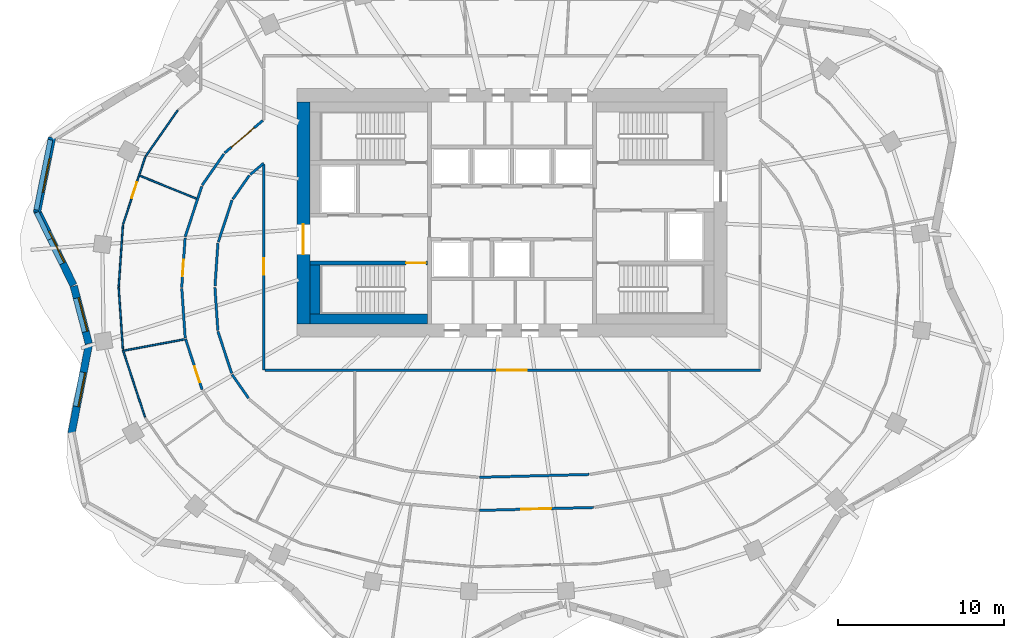
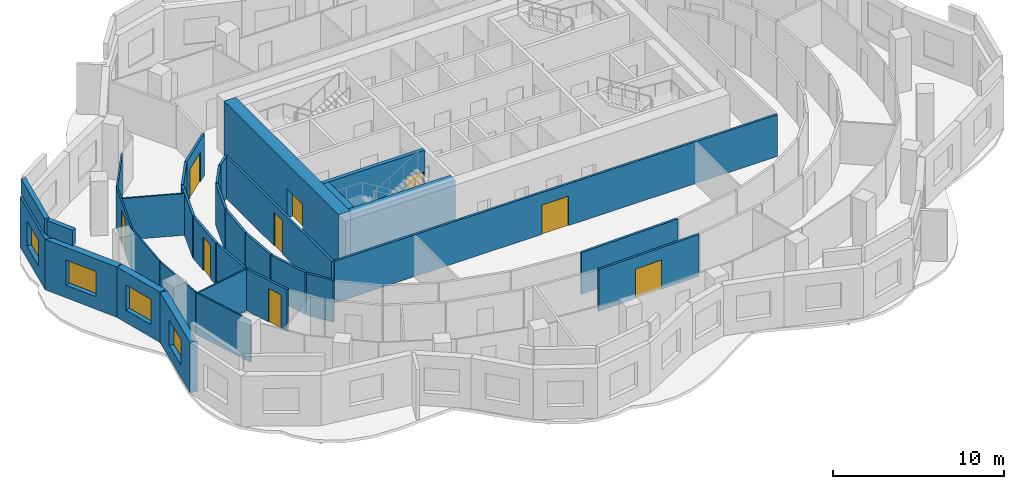
# One storey, part 4 of 10: 34 walls, 9 doors, 4 windows, 13 openings.
"""IFC4 building model written with IfcOpenShell, lengths in metres."""

from ifc_helpers import new_model, si_unit, direction, frame, frame_2d, origin, place, context, subcontext, project, spatial, rectangle, extrude, material, layer, layer_set, type_object, element, fill, save


model = new_model("IFC4")

# Units and contexts
model_context = context("Model", 3, precision=1e-05, world=origin(), true_north=direction((0.0, 1.0)))
body_context = subcontext(model_context, "Body", "Model", "MODEL_VIEW")
ifc_project = project(units=[si_unit("LENGTHUNIT", "METRE"), si_unit("AREAUNIT", "SQUARE_METRE"), si_unit("VOLUMEUNIT", "CUBIC_METRE"), si_unit("PLANEANGLEUNIT", "RADIAN"), si_unit("MASSUNIT", "GRAM", prefix="KILO")], contexts=[model_context])

# Site, building, storey
site_placement = place(None, origin())
site = spatial("IfcSite", under=ifc_project, at=site_placement, CompositionType="ELEMENT")
building_placement = place(site_placement, origin())
building = spatial("IfcBuilding", under=site, at=building_placement, Name="Rubra Terraces Tower", CompositionType="ELEMENT")
storey_placement = place(building_placement, frame((0.0, 0.0, 213.0)))
storey = spatial("IfcBuildingStorey", under=building, at=storey_placement, Name="L52", CompositionType="ELEMENT", Elevation=213.0)

# Wall, opening, window
ifc_material_1 = material(Name="Brick masonry red-brown", Category="masonry")
ifc_layer_1 = layer(ifc_material_1, 0.449951171875)
ifc_layer_set_1 = layer_set([ifc_layer_1], Name="Brick masonry red-brown")
wall_type_1 = type_object("IfcWallType", Name="Brick facade wall 450", PredefinedType="SOLIDWALL", material=ifc_layer_set_1)
wall_1_placement = place(storey_placement, frame((-27.779541015625, 9.053466796875, 0.0), z_axis=(0.0, 0.0, 1.0), x_axis=(-0.197796229105, -0.980243159503, 0.0)))
wall_1 = element("IfcWall", 1, at=wall_1_placement, inside=storey, type_object=wall_type_1, Name="Facade wall L52 bay 19", PredefinedType="SOLIDWALL", context=body_context, shape_type="SweptSolid", body=[
    extrude(rectangle(XDim=4.610107421875, YDim=0.449951171875, at=frame_2d((2.30517578125, 0.0))), origin(), (0.0, 0.0, 1.0), 3.60009765625),
])
opening_1_placement = place(wall_1_placement, frame((1.255126953125, 0.0, 0.89990234375)))
opening_1 = element("IfcOpeningElement", 2, at=opening_1_placement, cuts=wall_1, Name="Opening W1Z", PredefinedType="OPENING", context=body_context, shape_type="SweptSolid", body=[
    extrude(rectangle(XDim=2.10009765625, YDim=1.800048828125, at=frame_2d((1.050048828125, 0.89990234375))), frame((0.0, 0.23486328125, 0.0), z_axis=(0.0, -1.0, 0.0), x_axis=(1.0, 0.0, 0.0)), (0.0, 0.0, 1.0), 0.469970703125),
])
ifc_material_2 = material(Name="Clear glass in aluminium frame", Category="aluminium")
window_type = type_object("IfcWindowType", Name="Fixed deep-set window under transfer level 2100 x 1800", PartitioningType="SINGLE_PANEL", PredefinedType="WINDOW", material=ifc_material_2)
window_1_placement = place(opening_1_placement, origin())
window_1 = element("IfcWindow", 3, at=window_1_placement, inside=storey, type_object=window_type, Name="Window L52 bay 19", OverallHeight=1.800048828125, OverallWidth=2.10009765625, PartitioningType="SINGLE_PANEL", PredefinedType="WINDOW", context=body_context, shape_type="SweptSolid", body=[
    extrude(rectangle(XDim=2.10009765625, YDim=1.800048828125, at=frame_2d((1.050048828125, 0.89990234375))), frame((0.0, 0.135009765625, 0.0), z_axis=(0.0, -1.0, 0.0), x_axis=(1.0, 0.0, 0.0)), (0.0, 0.0, 1.0), 0.06005859375),
])
fill(opening_1, window_1)

wall_2_placement = place(storey_placement, frame((-28.70703125, 4.672119140625, 0.0), z_axis=(0.0, 0.0, 1.0), x_axis=(0.439053549989, -0.898460895221, 0.0)))
wall_2 = element("IfcWall", 4, at=wall_2_placement, inside=storey, type_object=wall_type_1, Name="Facade wall L52 bay 20", PredefinedType="SOLIDWALL", context=body_context, shape_type="SweptSolid", body=[
    extrude(rectangle(XDim=5.061767578125, YDim=0.449951171875, at=frame_2d((2.53076171875, 0.0))), origin(), (0.0, 0.0, 1.0), 3.60009765625),
])
opening_2_placement = place(wall_2_placement, frame((1.48095703125, 0.0, 0.89990234375)))
opening_2 = element("IfcOpeningElement", 5, at=opening_2_placement, cuts=wall_2, Name="Opening W1Z", PredefinedType="OPENING", context=body_context, shape_type="SweptSolid", body=[
    extrude(rectangle(XDim=2.10009765625, YDim=1.800048828125, at=frame_2d((1.050048828125, 0.89990234375))), frame((0.0, 0.23486328125, 0.0), z_axis=(0.0, -1.0, 0.0), x_axis=(1.0, 0.0, 0.0)), (0.0, 0.0, 1.0), 0.469970703125),
])
window_2_placement = place(opening_2_placement, origin())
window_2 = element("IfcWindow", 6, at=window_2_placement, inside=storey, type_object=window_type, Name="Window L52 bay 20", OverallHeight=1.800048828125, OverallWidth=2.10009765625, PartitioningType="SINGLE_PANEL", PredefinedType="WINDOW", context=body_context, shape_type="SweptSolid", body=[
    extrude(rectangle(XDim=2.10009765625, YDim=1.800048828125, at=frame_2d((1.050048828125, 0.89990234375))), frame((0.0, 0.135009765625, 0.0), z_axis=(0.0, -1.0, 0.0), x_axis=(1.0, 0.0, 0.0)), (0.0, 0.0, 1.0), 0.06005859375),
])
fill(opening_2, window_2)

wall_3_placement = place(storey_placement, frame((-26.469482421875, 0.0791015625, 0.0), z_axis=(0.0, 0.0, 1.0), x_axis=(0.252446779859, -0.967610780913, 0.0)))
wall_3 = element("IfcWall", 7, at=wall_3_placement, inside=storey, type_object=wall_type_1, Name="Facade wall L52 bay 21", PredefinedType="SOLIDWALL", context=body_context, shape_type="SweptSolid", body=[
    extrude(rectangle(XDim=3.5947265625, YDim=0.449951171875, at=frame_2d((1.79736328125, 0.0))), origin(), (0.0, 0.0, 1.0), 3.60009765625),
])
opening_3_placement = place(wall_3_placement, frame((0.747314453125, 0.0, 0.89990234375)))
opening_3 = element("IfcOpeningElement", 8, at=opening_3_placement, cuts=wall_3, Name="Opening W1Z", PredefinedType="OPENING", context=body_context, shape_type="SweptSolid", body=[
    extrude(rectangle(XDim=2.10009765625, YDim=1.800048828125, at=frame_2d((1.050048828125, 0.89990234375))), frame((0.0, 0.23486328125, 0.0), z_axis=(0.0, -1.0, 0.0), x_axis=(1.0, 0.0, 0.0)), (0.0, 0.0, 1.0), 0.469970703125),
])
window_3_placement = place(opening_3_placement, origin())
window_3 = element("IfcWindow", 9, at=window_3_placement, inside=storey, type_object=window_type, Name="Window L52 bay 21", OverallHeight=1.800048828125, OverallWidth=2.10009765625, PartitioningType="SINGLE_PANEL", PredefinedType="WINDOW", context=body_context, shape_type="SweptSolid", body=[
    extrude(rectangle(XDim=2.10009765625, YDim=1.800048828125, at=frame_2d((1.050048828125, 0.89990234375))), frame((0.0, 0.135009765625, 0.0), z_axis=(0.0, -1.0, 0.0), x_axis=(1.0, 0.0, 0.0)), (0.0, 0.0, 1.0), 0.06005859375),
])
fill(opening_3, window_3)

wall_4_placement = place(storey_placement, frame((-25.561279296875, -3.490478515625, 0.0), z_axis=(0.0, 0.0, 1.0), x_axis=(-0.192494026297, -0.981298145234, 0.0)))
wall_4 = element("IfcWall", 10, at=wall_4_placement, inside=storey, type_object=wall_type_1, Name="Facade wall L52 bay 22", PredefinedType="SOLIDWALL", context=body_context, shape_type="SweptSolid", body=[
    extrude(rectangle(XDim=5.446044921875, YDim=0.449951171875, at=frame_2d((2.72314453125, 0.0))), origin(), (0.0, 0.0, 1.0), 3.60009765625),
])
opening_4_placement = place(wall_4_placement, frame((1.673095703125, 0.0, 0.89990234375)))
opening_4 = element("IfcOpeningElement", 11, at=opening_4_placement, cuts=wall_4, Name="Opening W1Z", PredefinedType="OPENING", context=body_context, shape_type="SweptSolid", body=[
    extrude(rectangle(XDim=2.10009765625, YDim=1.800048828125, at=frame_2d((1.050048828125, 0.89990234375))), frame((0.0, 0.23486328125, 0.0), z_axis=(0.0, -1.0, 0.0), x_axis=(1.0, 0.0, 0.0)), (0.0, 0.0, 1.0), 0.469970703125),
])
window_4_placement = place(opening_4_placement, origin())
window_4 = element("IfcWindow", 12, at=window_4_placement, inside=storey, type_object=window_type, Name="Window L52 bay 22", OverallHeight=1.800048828125, OverallWidth=2.10009765625, PartitioningType="SINGLE_PANEL", PredefinedType="WINDOW", context=body_context, shape_type="SweptSolid", body=[
    extrude(rectangle(XDim=2.10009765625, YDim=1.800048828125, at=frame_2d((1.050048828125, 0.89990234375))), frame((0.0, 0.135009765625, 0.0), z_axis=(0.0, -1.0, 0.0), x_axis=(1.0, 0.0, 0.0)), (0.0, 0.0, 1.0), 0.06005859375),
])
fill(opening_4, window_4)

# Walls
ifc_layer_2 = layer(ifc_material_1, 0.300048828125)
ifc_layer_set_2 = layer_set([ifc_layer_2], Name="Brick masonry red-brown")
wall_type_2 = type_object("IfcWallType", Name="Brick parapet 300", PredefinedType="PARAPET", material=ifc_layer_set_2)
wall_5_placement = place(storey_placement, frame((-27.884521484375, 8.91162109375, 3.89990234375), z_axis=(0.0, 0.0, 1.0), x_axis=(-0.197855213088, -0.980231255701, 0.0)))
element("IfcWall", 13, at=wall_5_placement, inside=storey, type_object=wall_type_2, Name="Parapet L52 bay 19", PredefinedType="PARAPET", context=body_context, shape_type="SweptSolid", body=[
    extrude(rectangle(XDim=4.31884765625, YDim=0.300048828125, at=frame_2d((2.159423828125, 0.0))), origin(), (0.0, 0.0, 1.0), 1.10009765625),
])
wall_6_placement = place(storey_placement, frame((-28.719482421875, 4.5263671875, 3.89990234375), z_axis=(0.0, 0.0, 1.0), x_axis=(0.439128139237, -0.898424441636, 0.0)))
element("IfcWall", 14, at=wall_6_placement, inside=storey, type_object=wall_type_2, Name="Parapet L52 bay 20", PredefinedType="PARAPET", context=body_context, shape_type="SweptSolid", body=[
    extrude(rectangle(XDim=1.815673828125, YDim=0.300048828125, at=frame_2d((0.90771484375, 0.0))), origin(), (0.0, 0.0, 1.0), 1.10009765625),
])

# Wall, opening, door
ifc_material_3 = material(Name="Concrete C50", Category="concrete")
ifc_layer_3 = layer(ifc_material_3, 0.800048828125)
ifc_layer_set_3 = layer_set([ifc_layer_3], Name="Concrete C50")
wall_type_3 = type_object("IfcWallType", Name="CORE WALL 800 C50", PredefinedType="SHEAR", material=ifc_layer_set_3)
wall_7_placement = place(storey_placement, frame((-12.60009765625, -2.199951171875, 0.0), z_axis=(0.0, 0.0, 1.0), x_axis=(0.0, 1.0, 0.0)))
wall_7 = element("IfcWall", 15, at=wall_7_placement, inside=storey, type_object=wall_type_3, Name="CORE WALL W L52", PredefinedType="SHEAR", context=body_context, shape_type="SweptSolid", body=[
    extrude(rectangle(XDim=13.39990234375, YDim=0.800048828125, at=frame_2d((6.699951171875, 0.0))), origin(), (0.0, 0.0, 1.0), 3.89990234375),
])
opening_5_placement = place(wall_7_placement, frame((4.199951171875, 0.0, 0.0)))
opening_5 = element("IfcOpeningElement", 16, at=opening_5_placement, cuts=wall_7, Name="Opening L52.C01", PredefinedType="OPENING", context=body_context, shape_type="SweptSolid", body=[
    extrude(rectangle(XDim=1.800048828125, YDim=2.10009765625, at=frame_2d((0.89990234375, 1.050048828125))), frame((0.0, 0.409912109375, 0.0), z_axis=(0.0, -1.0, 0.0), x_axis=(1.0, 0.0, 0.0)), (0.0, 0.0, 1.0), 0.820068359375),
])
ifc_material_4 = material(Name="Painted steel", Category="steel")
door_type_1 = type_object("IfcDoorType", Name="Fire door 1800x2100 double", OperationType="NOTDEFINED", PredefinedType="DOOR", material=ifc_material_4)
door_1_placement = place(opening_5_placement, origin())
door_1 = element("IfcDoor", 17, at=door_1_placement, inside=storey, type_object=door_type_1, Name="Core entrance door FF1", OperationType="DOUBLE_DOOR_SINGLE_SWING", OverallHeight=2.10009765625, OverallWidth=1.800048828125, PredefinedType="DOOR", context=body_context, shape_type="SweptSolid", body=[
    extrude(rectangle(XDim=1.800048828125, YDim=2.10009765625, at=frame_2d((0.89990234375, 1.050048828125))), frame((0.0, 0.02490234375, 0.0), z_axis=(0.0, -1.0, 0.0), x_axis=(1.0, 0.0, 0.0)), (0.0, 0.0, 1.0), 0.050048828125),
])
fill(opening_5, door_1)

ifc_material_5 = material(Name="Plasterboard on steel stud, mineral wool infill", Category="steel")
ifc_layer_4 = layer(ifc_material_5, 0.14990234375)
ifc_layer_set_4 = layer_set([ifc_layer_4], Name="Plasterboard on steel stud, mineral wool infill")
wall_type_4 = type_object("IfcWallType", Name="CORRIDOR PARTITION 150", PredefinedType="PARTITIONING", material=ifc_layer_set_4)
wall_8_placement = place(storey_placement, frame((-15.05712890625, 10.072998046875, 0.0), z_axis=(0.0, 0.0, 1.0), x_axis=(-0.762398905861, -0.647107339119, 0.0)))
wall_8 = element("IfcWall", 18, at=wall_8_placement, inside=storey, type_object=wall_type_4, Name="PARTITION", PredefinedType="PARTITIONING", context=body_context, shape_type="SweptSolid", body=[
    extrude(rectangle(XDim=3.013427734375, YDim=0.14990234375, at=frame_2d((1.5068359375, 0.0))), origin(), (0.0, 0.0, 1.0), 2.98388671875),
])
opening_6_placement = place(wall_8_placement, frame((0.675048828125, 0.0, 0.0)))
opening_6 = element("IfcOpeningElement", 19, at=opening_6_placement, cuts=wall_8, Name="Opening 52-101", PredefinedType="OPENING", context=body_context, shape_type="SweptSolid", body=[
    extrude(rectangle(XDim=1.800048828125, YDim=2.10009765625, at=frame_2d((0.89990234375, 1.050048828125))), frame((0.0, 0.0849609375, 0.0), z_axis=(0.0, -1.0, 0.0), x_axis=(1.0, 0.0, 0.0)), (0.0, 0.0, 1.0), 0.169921875),
])
ifc_material_6 = material(Name="Painted timber door leaf, double", Category="wood")
door_type_2 = type_object("IfcDoorType", Name="ROOM DOUBLE DOOR 1800 X 2100", OperationType="DOUBLE_DOOR_SINGLE_SWING", PredefinedType="DOOR", material=ifc_material_6)
door_2_placement = place(opening_6_placement, origin())
door_2 = element("IfcDoor", 20, at=door_2_placement, inside=storey, type_object=door_type_2, Name="DOOR 52-101", OperationType="DOUBLE_DOOR_SINGLE_SWING", OverallHeight=2.10009765625, OverallWidth=1.800048828125, PredefinedType="DOOR", context=body_context, shape_type="SweptSolid", body=[
    extrude(rectangle(XDim=1.800048828125, YDim=2.10009765625, at=frame_2d((0.89990234375, 1.050048828125))), frame((0.0, 0.02490234375, 0.0), z_axis=(0.0, -1.0, 0.0), x_axis=(1.0, 0.0, 0.0)), (0.0, 0.0, 1.0), 0.050048828125),
])
fill(opening_6, door_2)

# Walls
wall_9_placement = place(storey_placement, frame((-17.3974609375, 8.0615234375, 0.0), z_axis=(0.0, 0.0, 1.0), x_axis=(-0.572118665737, -0.820170855563, 0.0)))
element("IfcWall", 21, at=wall_9_placement, inside=storey, type_object=wall_type_4, Name="PARTITION", PredefinedType="PARTITIONING", context=body_context, shape_type="SweptSolid", body=[
    extrude(rectangle(XDim=2.30615234375, YDim=0.14990234375, at=frame_2d((1.153076171875, 0.0))), origin(), (0.0, 0.0, 1.0), 2.98388671875),
])
wall_10_placement = place(storey_placement, frame((-18.740234375, 6.098876953125, 0.0), z_axis=(0.0, 0.0, 1.0), x_axis=(-0.31188427026, -0.950120098706, 0.0)))
element("IfcWall", 22, at=wall_10_placement, inside=storey, type_object=wall_type_4, Name="PARTITION", PredefinedType="PARTITIONING", context=body_context, shape_type="SweptSolid", body=[
    extrude(rectangle(XDim=3.206298828125, YDim=0.14990234375, at=frame_2d((1.60302734375, 0.0))), origin(), (0.0, 0.0, 1.0), 2.98388671875),
])

# Wall, opening, door
wall_11_placement = place(storey_placement, frame((-19.745361328125, 2.9775390625, 0.0), z_axis=(0.0, 0.0, 1.0), x_axis=(-0.068142324, -0.997675610447, 0.0)))
wall_11 = element("IfcWall", 23, at=wall_11_placement, inside=storey, type_object=wall_type_4, Name="PARTITION", PredefinedType="PARTITIONING", context=body_context, shape_type="SweptSolid", body=[
    extrude(rectangle(XDim=2.984375, YDim=0.14990234375, at=frame_2d((1.4921875, 0.0))), origin(), (0.0, 0.0, 1.0), 2.98388671875),
])
opening_7_placement = place(wall_11_placement, frame((1.323974609375, 0.0, 0.0)))
opening_7 = element("IfcOpeningElement", 24, at=opening_7_placement, cuts=wall_11, Name="Opening 52-102", PredefinedType="OPENING", context=body_context, shape_type="SweptSolid", body=[
    extrude(rectangle(XDim=1.0, YDim=2.39990234375, at=frame_2d((0.5, 1.199951171875))), frame((0.0, 0.0849609375, 0.0), z_axis=(0.0, -1.0, 0.0), x_axis=(1.0, 0.0, 0.0)), (0.0, 0.0, 1.0), 0.169921875),
])
ifc_material_7 = material(Name="Glazed aluminium meeting door leaf", Category="aluminium")
door_type_3 = type_object("IfcDoorType", Name="MEETING ROOM GLAZED DOOR 1000 X 2400", OperationType="SINGLE_SWING_LEFT", PredefinedType="DOOR", material=ifc_material_7)
door_3_placement = place(opening_7_placement, origin())
door_3 = element("IfcDoor", 25, at=door_3_placement, inside=storey, type_object=door_type_3, Name="DOOR 52-102", OperationType="SINGLE_SWING_RIGHT", OverallHeight=2.39990234375, OverallWidth=1.0, PredefinedType="DOOR", context=body_context, shape_type="SweptSolid", body=[
    extrude(rectangle(XDim=1.0, YDim=2.39990234375, at=frame_2d((0.5, 1.199951171875))), frame((0.0, 0.02490234375, 0.0), z_axis=(0.0, -1.0, 0.0), x_axis=(1.0, 0.0, 0.0)), (0.0, 0.0, 1.0), 0.050048828125),
])
fill(opening_7, door_3)

# Wall
wall_12_placement = place(storey_placement, frame((-19.943603515625, -0.07470703125, 0.0), z_axis=(0.0, 0.0, 1.0), x_axis=(0.068136763128, -0.997675990245, 0.0)))
element("IfcWall", 26, at=wall_12_placement, inside=storey, type_object=wall_type_4, Name="PARTITION", PredefinedType="PARTITIONING", context=body_context, shape_type="SweptSolid", body=[
    extrude(rectangle(XDim=2.984619140625, YDim=0.14990234375, at=frame_2d((1.4921875, 0.0))), origin(), (0.0, 0.0, 1.0), 2.98388671875),
])

# Wall, opening, door
wall_13_placement = place(storey_placement, frame((-19.716796875, -3.123779296875, 0.0), z_axis=(0.0, 0.0, 1.0), x_axis=(0.31188427026, -0.950120098706, 0.0)))
wall_13 = element("IfcWall", 27, at=wall_13_placement, inside=storey, type_object=wall_type_4, Name="PARTITION", PredefinedType="PARTITIONING", context=body_context, shape_type="SweptSolid", body=[
    extrude(rectangle(XDim=3.206298828125, YDim=0.14990234375, at=frame_2d((1.60302734375, 0.0))), origin(), (0.0, 0.0, 1.0), 2.98388671875),
])
opening_8_placement = place(wall_13_placement, frame((1.75, 0.0, 0.0)))
opening_8 = element("IfcOpeningElement", 28, at=opening_8_placement, cuts=wall_13, Name="Opening 52-103", PredefinedType="OPENING", context=body_context, shape_type="SweptSolid", body=[
    extrude(rectangle(XDim=1.0, YDim=2.39990234375, at=frame_2d((0.5, 1.199951171875))), frame((0.0, 0.0849609375, 0.0), z_axis=(0.0, -1.0, 0.0), x_axis=(1.0, 0.0, 0.0)), (0.0, 0.0, 1.0), 0.169921875),
])
door_4_placement = place(opening_8_placement, origin())
door_4 = element("IfcDoor", 29, at=door_4_placement, inside=storey, type_object=door_type_3, Name="DOOR 52-103", OperationType="SINGLE_SWING_RIGHT", OverallHeight=2.39990234375, OverallWidth=1.0, PredefinedType="DOOR", context=body_context, shape_type="SweptSolid", body=[
    extrude(rectangle(XDim=1.0, YDim=2.39990234375, at=frame_2d((0.5, 1.199951171875))), frame((0.0, 0.02490234375, 0.0), z_axis=(0.0, -1.0, 0.0), x_axis=(1.0, 0.0, 0.0)), (0.0, 0.0, 1.0), 0.050048828125),
])
fill(opening_8, door_4)

wall_14_placement = place(storey_placement, frame((-1.951171875, -13.472412109375, 0.0), z_axis=(0.0, 0.0, 1.0), x_axis=(0.999663898238, 0.025924709429, 0.0)))
wall_14 = element("IfcWall", 30, at=wall_14_placement, inside=storey, type_object=wall_type_4, Name="PARTITION", PredefinedType="PARTITIONING", context=body_context, shape_type="SweptSolid", body=[
    extrude(rectangle(XDim=6.87451171875, YDim=0.14990234375, at=frame_2d((3.437255859375, 0.0))), origin(), (0.0, 0.0, 1.0), 2.98388671875),
])
opening_9_placement = place(wall_14_placement, frame((2.514892578125, 0.0, 0.0)))
opening_9 = element("IfcOpeningElement", 31, at=opening_9_placement, cuts=wall_14, Name="Opening 52-106", PredefinedType="OPENING", context=body_context, shape_type="SweptSolid", body=[
    extrude(rectangle(XDim=1.800048828125, YDim=2.10009765625, at=frame_2d((0.89990234375, 1.050048828125))), frame((0.0, 0.0849609375, 0.0), z_axis=(0.0, -1.0, 0.0), x_axis=(1.0, 0.0, 0.0)), (0.0, 0.0, 1.0), 0.169921875),
])
door_5_placement = place(opening_9_placement, origin())
door_5 = element("IfcDoor", 32, at=door_5_placement, inside=storey, type_object=door_type_2, Name="DOOR 52-106", OperationType="DOUBLE_DOOR_SINGLE_SWING", OverallHeight=2.10009765625, OverallWidth=1.800048828125, PredefinedType="DOOR", context=body_context, shape_type="SweptSolid", body=[
    extrude(rectangle(XDim=1.800048828125, YDim=2.10009765625, at=frame_2d((0.89990234375, 1.050048828125))), frame((0.0, 0.02490234375, 0.0), z_axis=(0.0, -1.0, 0.0), x_axis=(1.0, 0.0, 0.0)), (0.0, 0.0, 1.0), 0.050048828125),
])
fill(opening_9, door_5)

# Walls
wall_15_placement = place(storey_placement, frame((4.64453125, -11.30078125, 0.0), z_axis=(0.0, 0.0, 1.0), x_axis=(-0.9996648469, -0.02588810291, 0.0)))
element("IfcWall", 33, at=wall_15_placement, inside=storey, type_object=wall_type_4, Name="PARTITION", PredefinedType="PARTITIONING", context=body_context, shape_type="SweptSolid", body=[
    extrude(rectangle(XDim=6.61083984375, YDim=0.14990234375, at=frame_2d((3.305419921875, 0.0))), origin(), (0.0, 0.0, 1.0), 2.98388671875),
])
wall_16_placement = place(storey_placement, frame((-15.911865234375, -6.695556640625, 0.0), z_axis=(0.0, 0.0, 1.0), x_axis=(-0.572078533763, 0.820198848578, 0.0)))
element("IfcWall", 34, at=wall_16_placement, inside=storey, type_object=wall_type_4, Name="PARTITION", PredefinedType="PARTITIONING", context=body_context, shape_type="SweptSolid", body=[
    extrude(rectangle(XDim=1.74169921875, YDim=0.14990234375, at=frame_2d((0.870849609375, 0.0))), origin(), (0.0, 0.0, 1.0), 2.98388671875),
])
wall_17_placement = place(storey_placement, frame((-16.931640625, -5.19580078125, 0.0), z_axis=(0.0, 0.0, 1.0), x_axis=(-0.311904957484, 0.950113307715, 0.0)))
element("IfcWall", 35, at=wall_17_placement, inside=storey, type_object=wall_type_4, Name="PARTITION", PredefinedType="PARTITIONING", context=body_context, shape_type="SweptSolid", body=[
    extrude(rectangle(XDim=2.662109375, YDim=0.14990234375, at=frame_2d((1.3310546875, 0.0))), origin(), (0.0, 0.0, 1.0), 2.98388671875),
])
wall_18_placement = place(storey_placement, frame((-17.76708984375, -2.591552734375, 0.0), z_axis=(0.0, 0.0, 1.0), x_axis=(-0.068140828228, 0.997675712608, 0.0)))
element("IfcWall", 36, at=wall_18_placement, inside=storey, type_object=wall_type_4, Name="PARTITION", PredefinedType="PARTITIONING", context=body_context, shape_type="SweptSolid", body=[
    extrude(rectangle(XDim=2.59765625, YDim=0.14990234375, at=frame_2d((1.298828125, 0.0))), origin(), (0.0, 0.0, 1.0), 2.98388671875),
])
wall_19_placement = place(storey_placement, frame((-17.939208984375, 0.07470703125, 0.0), z_axis=(0.0, 0.0, 1.0), x_axis=(0.068227980697, 0.997669756307, 0.0)))
element("IfcWall", 37, at=wall_19_placement, inside=storey, type_object=wall_type_4, Name="PARTITION", PredefinedType="PARTITIONING", context=body_context, shape_type="SweptSolid", body=[
    extrude(rectangle(XDim=2.597900390625, YDim=0.14990234375, at=frame_2d((1.298828125, 0.0))), origin(), (0.0, 0.0, 1.0), 2.98388671875),
])
wall_20_placement = place(storey_placement, frame((-17.738525390625, 2.73779296875, 0.0), z_axis=(0.0, 0.0, 1.0), x_axis=(0.311904957484, 0.950113307715, 0.0)))
element("IfcWall", 38, at=wall_20_placement, inside=storey, type_object=wall_type_4, Name="PARTITION", PredefinedType="PARTITIONING", context=body_context, shape_type="SweptSolid", body=[
    extrude(rectangle(XDim=2.662109375, YDim=0.14990234375, at=frame_2d((1.3310546875, 0.0))), origin(), (0.0, 0.0, 1.0), 2.98388671875),
])
wall_21_placement = place(storey_placement, frame((-16.865478515625, 5.32861328125, 0.0), z_axis=(0.0, 0.0, 1.0), x_axis=(0.572096615639, 0.820186236397, 0.0)))
element("IfcWall", 39, at=wall_21_placement, inside=storey, type_object=wall_type_4, Name="PARTITION", PredefinedType="PARTITIONING", context=body_context, shape_type="SweptSolid", body=[
    extrude(rectangle(XDim=1.752685546875, YDim=0.14990234375, at=frame_2d((0.87646484375, 0.0))), origin(), (0.0, 0.0, 1.0), 2.98388671875),
])
wall_22_placement = place(storey_placement, frame((-15.805419921875, 6.814453125, 0.0), z_axis=(0.0, 0.0, 1.0), x_axis=(0.762298381233, 0.647225755027, 0.0)))
element("IfcWall", 40, at=wall_22_placement, inside=storey, type_object=wall_type_4, Name="PARTITION", PredefinedType="PARTITIONING", context=body_context, shape_type="SweptSolid", body=[
    extrude(rectangle(XDim=1.056640625, YDim=0.14990234375, at=frame_2d((0.5283203125, 0.0))), origin(), (0.0, 0.0, 1.0), 2.98388671875),
])

# Wall, opening, door
wall_23_placement = place(storey_placement, frame((-15.0, 7.423095703125, 0.0), z_axis=(0.0, 0.0, 1.0), x_axis=(0.0, -1.0, 0.0)))
wall_23 = element("IfcWall", 41, at=wall_23_placement, inside=storey, type_object=wall_type_4, Name="PARTITION", PredefinedType="PARTITIONING", context=body_context, shape_type="SweptSolid", body=[
    extrude(rectangle(XDim=12.423095703125, YDim=0.14990234375, at=frame_2d((6.21142578125, 0.0))), origin(), (0.0, 0.0, 1.0), 2.98388671875),
])
opening_10_placement = place(wall_23_placement, frame((5.674072265625, 0.0, 0.0)))
opening_10 = element("IfcOpeningElement", 42, at=opening_10_placement, cuts=wall_23, Name="Opening 52-116", PredefinedType="OPENING", context=body_context, shape_type="SweptSolid", body=[
    extrude(rectangle(XDim=1.0, YDim=2.39990234375, at=frame_2d((0.5, 1.199951171875))), frame((0.0, 0.0849609375, 0.0), z_axis=(0.0, -1.0, 0.0), x_axis=(1.0, 0.0, 0.0)), (0.0, 0.0, 1.0), 0.169921875),
])
door_6_placement = place(opening_10_placement, origin())
door_6 = element("IfcDoor", 43, at=door_6_placement, inside=storey, type_object=door_type_3, Name="DOOR 52-116", OperationType="SINGLE_SWING_RIGHT", OverallHeight=2.39990234375, OverallWidth=1.0, PredefinedType="DOOR", context=body_context, shape_type="SweptSolid", body=[
    extrude(rectangle(XDim=1.0, YDim=2.39990234375, at=frame_2d((0.5, 1.199951171875))), frame((0.0, 0.02490234375, 0.0), z_axis=(0.0, -1.0, 0.0), x_axis=(1.0, 0.0, 0.0)), (0.0, 0.0, 1.0), 0.050048828125),
])
fill(opening_10, door_6)

wall_24_placement = place(storey_placement, frame((-14.925048828125, -5.0, 0.0), z_axis=(0.0, 0.0, 1.0), x_axis=(1.0, 0.0, 0.0)))
wall_24 = element("IfcWall", 44, at=wall_24_placement, inside=storey, type_object=wall_type_4, Name="PARTITION", PredefinedType="PARTITIONING", context=body_context, shape_type="SweptSolid", body=[
    extrude(rectangle(XDim=29.925048828125, YDim=0.14990234375, at=frame_2d((14.96240234375, 0.0))), origin(), (0.0, 0.0, 1.0), 2.98388671875),
])
opening_11_placement = place(wall_24_placement, frame((14.02490234375, 0.0, 0.0)))
opening_11 = element("IfcOpeningElement", 45, at=opening_11_placement, cuts=wall_24, Name="Opening 52-117", PredefinedType="OPENING", context=body_context, shape_type="SweptSolid", body=[
    extrude(rectangle(XDim=1.800048828125, YDim=2.10009765625, at=frame_2d((0.89990234375, 1.050048828125))), frame((0.0, 0.0849609375, 0.0), z_axis=(0.0, -1.0, 0.0), x_axis=(1.0, 0.0, 0.0)), (0.0, 0.0, 1.0), 0.169921875),
])
door_7_placement = place(opening_11_placement, origin())
door_7 = element("IfcDoor", 46, at=door_7_placement, inside=storey, type_object=door_type_2, Name="DOOR 52-117", OperationType="DOUBLE_DOOR_SINGLE_SWING", OverallHeight=2.10009765625, OverallWidth=1.800048828125, PredefinedType="DOOR", context=body_context, shape_type="SweptSolid", body=[
    extrude(rectangle(XDim=1.800048828125, YDim=2.10009765625, at=frame_2d((0.89990234375, 1.050048828125))), frame((0.0, 0.02490234375, 0.0), z_axis=(0.0, -1.0, 0.0), x_axis=(1.0, 0.0, 0.0)), (0.0, 0.0, 1.0), 0.050048828125),
])
fill(opening_11, door_7)

# Walls
ifc_material_8 = material(Name="Concrete C40", Category="concrete")
ifc_layer_5 = layer(ifc_material_8, 0.60009765625)
ifc_layer_set_5 = layer_set([ifc_layer_5], Name="Concrete C40")
wall_type_5 = type_object("IfcWallType", Name="Core lining wall 600 concrete", PredefinedType="SOLIDWALL", material=ifc_layer_set_5)
wall_25_placement = place(storey_placement, frame((-12.199951171875, -1.89990234375, 0.0), z_axis=(0.0, 0.0, 1.0), x_axis=(1.0, 0.0, 0.0)))
element("IfcWall", 47, at=wall_25_placement, inside=storey, type_object=wall_type_5, Name="CORE LINING WALL L52", PredefinedType="SOLIDWALL", context=body_context, shape_type="SweptSolid", body=[
    extrude(rectangle(XDim=7.099853515625, YDim=0.60009765625, at=frame_2d((3.5498046875, 0.0))), origin(), (0.0, 0.0, 1.0), 3.60009765625),
])
wall_26_placement = place(storey_placement, frame((-11.89990234375, -1.60009765625, 0.0), z_axis=(0.0, 0.0, 1.0), x_axis=(0.0, 1.0, 0.0)))
element("IfcWall", 48, at=wall_26_placement, inside=storey, type_object=wall_type_5, Name="CORE LINING WALL L52", PredefinedType="SOLIDWALL", context=body_context, shape_type="SweptSolid", body=[
    extrude(rectangle(XDim=2.9501953125, YDim=0.60009765625, at=frame_2d((1.47509765625, 0.0))), origin(), (0.0, 0.0, 1.0), 3.60009765625),
])
ifc_material_9 = material(Name="Plasterboard on steel stud", Category="steel")
ifc_layer_6 = layer(ifc_material_9, 0.10009765625)
ifc_layer_set_6 = layer_set([ifc_layer_6], Name="Plasterboard on steel stud")
wall_type_6 = type_object("IfcWallType", Name="ROOM PARTITION 100", PredefinedType="PARTITIONING", material=ifc_layer_set_6)
wall_27_placement = place(storey_placement, frame((-22.168701171875, -7.838623046875, 0.0), z_axis=(0.0, 0.0, 1.0), x_axis=(-0.311880220566, 0.95012142804, 0.0)))
element("IfcWall", 49, at=wall_27_placement, inside=storey, type_object=wall_type_6, Name="PARTITION", PredefinedType="PARTITIONING", context=body_context, shape_type="SweptSolid", body=[
    extrude(rectangle(XDim=4.265380859375, YDim=0.10009765625, at=frame_2d((2.1328125, 0.0))), origin(), (0.0, 0.0, 1.0), 2.98388671875),
])
wall_28_placement = place(storey_placement, frame((-23.50244140625, -3.73583984375, 0.0), z_axis=(0.0, 0.0, 1.0), x_axis=(-0.068197929309, 0.997671810987, 0.0)))
element("IfcWall", 50, at=wall_28_placement, inside=storey, type_object=wall_type_6, Name="PARTITION", PredefinedType="PARTITIONING", context=body_context, shape_type="SweptSolid", body=[
    extrude(rectangle(XDim=3.74462890625, YDim=0.10009765625, at=frame_2d((1.872314453125, 0.0))), origin(), (0.0, 0.0, 1.0), 2.98388671875),
])
wall_29_placement = place(storey_placement, frame((-23.75439453125, 0.0498046875, 0.0), z_axis=(0.0, 0.0, 1.0), x_axis=(0.068193493527, 0.997672114194, 0.0)))
element("IfcWall", 51, at=wall_29_placement, inside=storey, type_object=wall_type_6, Name="PARTITION", PredefinedType="PARTITIONING", context=body_context, shape_type="SweptSolid", body=[
    extrude(rectangle(XDim=3.744873046875, YDim=0.10009765625, at=frame_2d((1.87255859375, 0.0))), origin(), (0.0, 0.0, 1.0), 2.98388671875),
])

# Wall, opening, door
wall_30_placement = place(storey_placement, frame((-23.4833984375, 3.833251953125, 0.0), z_axis=(0.0, 0.0, 1.0), x_axis=(0.311880220566, 0.95012142804, 0.0)))
wall_30 = element("IfcWall", 52, at=wall_30_placement, inside=storey, type_object=wall_type_6, Name="PARTITION", PredefinedType="PARTITIONING", context=body_context, shape_type="SweptSolid", body=[
    extrude(rectangle(XDim=4.265380859375, YDim=0.10009765625, at=frame_2d((2.1328125, 0.0))), origin(), (0.0, 0.0, 1.0), 2.98388671875),
])
opening_12_placement = place(wall_30_placement, frame((1.64990234375, 0.0, 0.0)))
opening_12 = element("IfcOpeningElement", 53, at=opening_12_placement, cuts=wall_30, Name="Opening 52-119", PredefinedType="OPENING", context=body_context, shape_type="SweptSolid", body=[
    extrude(rectangle(XDim=1.0, YDim=2.39990234375, at=frame_2d((0.5, 1.199951171875))), frame((0.0, 0.06005859375, 0.0), z_axis=(0.0, -1.0, 0.0), x_axis=(1.0, 0.0, 0.0)), (0.0, 0.0, 1.0), 0.1201171875),
])
door_8_placement = place(opening_12_placement, origin())
door_8 = element("IfcDoor", 54, at=door_8_placement, inside=storey, type_object=door_type_3, Name="DOOR 52-119", OperationType="SINGLE_SWING_RIGHT", OverallHeight=2.39990234375, OverallWidth=1.0, PredefinedType="DOOR", context=body_context, shape_type="SweptSolid", body=[
    extrude(rectangle(XDim=1.0, YDim=2.39990234375, at=frame_2d((0.5, 1.199951171875))), frame((0.0, 0.02490234375, 0.0), z_axis=(0.0, -1.0, 0.0), x_axis=(1.0, 0.0, 0.0)), (0.0, 0.0, 1.0), 0.050048828125),
])
fill(opening_12, door_8)

# Walls
wall_31_placement = place(storey_placement, frame((-22.12451171875, 7.927001953125, 0.0), z_axis=(0.0, 0.0, 1.0), x_axis=(0.572100301866, 0.820183665166, 0.0)))
element("IfcWall", 55, at=wall_31_placement, inside=storey, type_object=wall_type_6, Name="PARTITION", PredefinedType="PARTITIONING", context=body_context, shape_type="SweptSolid", body=[
    extrude(rectangle(XDim=3.38232421875, YDim=0.10009765625, at=frame_2d((1.691162109375, 0.0))), origin(), (0.0, 0.0, 1.0), 2.98388671875),
])
wall_32_placement = place(storey_placement, frame((-19.06201171875, 5.35888671875, 0.0), z_axis=(0.0, 0.0, 1.0), x_axis=(-0.926789776873, 0.375580496677, 0.0)))
element("IfcWall", 56, at=wall_32_placement, inside=storey, type_object=wall_type_6, Name="PARTITION", PredefinedType="PARTITIONING", context=body_context, shape_type="SweptSolid", body=[
    extrude(rectangle(XDim=3.683837890625, YDim=0.10009765625, at=frame_2d((1.841796875, 0.0))), origin(), (0.0, 0.0, 1.0), 2.98388671875),
])
wall_33_placement = place(storey_placement, frame((-19.790283203125, -3.138671875, 0.0), z_axis=(0.0, 0.0, 1.0), x_axis=(-0.983000134823, -0.183604833647, 0.0)))
element("IfcWall", 57, at=wall_33_placement, inside=storey, type_object=wall_type_6, Name="PARTITION", PredefinedType="PARTITIONING", context=body_context, shape_type="SweptSolid", body=[
    extrude(rectangle(XDim=3.70849609375, YDim=0.10009765625, at=frame_2d((1.854248046875, 0.0))), origin(), (0.0, 0.0, 1.0), 2.98388671875),
])

# Wall, opening, door
ifc_layer_7 = layer(ifc_material_8, 0.25)
ifc_layer_set_7 = layer_set([ifc_layer_7], Name="Concrete C40")
wall_type_7 = type_object("IfcWallType", Name="Stair enclosure wall 250 concrete", PredefinedType="SOLIDWALL", material=ifc_layer_set_7)
wall_34_placement = place(storey_placement, frame((-12.199951171875, 1.47509765625, 0.0), z_axis=(0.0, 0.0, 1.0), x_axis=(1.0, 0.0, 0.0)))
wall_34 = element("IfcWall", 58, at=wall_34_placement, inside=storey, type_object=wall_type_7, Name="STAIR WALL L52", PredefinedType="SOLIDWALL", context=body_context, shape_type="SweptSolid", body=[
    extrude(rectangle(XDim=7.099853515625, YDim=0.25, at=frame_2d((3.5498046875, 0.0))), origin(), (0.0, 0.0, 1.0), 3.60009765625),
])
opening_13_placement = place(wall_34_placement, frame((5.800048828125, 0.0, 0.0)))
opening_13 = element("IfcOpeningElement", 59, at=opening_13_placement, cuts=wall_34, Name="Opening L52.C07", PredefinedType="OPENING", context=body_context, shape_type="SweptSolid", body=[
    extrude(rectangle(XDim=1.199951171875, YDim=2.10009765625, at=frame_2d((0.60009765625, 1.050048828125))), frame((0.0, 0.135009765625, 0.0), z_axis=(0.0, -1.0, 0.0), x_axis=(1.0, 0.0, 0.0)), (0.0, 0.0, 1.0), 0.27001953125),
])
door_type_4 = type_object("IfcDoorType", Name="Fire door 1200x2100 single", OperationType="NOTDEFINED", PredefinedType="DOOR", material=ifc_material_4)
door_9_placement = place(opening_13_placement, origin())
door_9 = element("IfcDoor", 60, at=door_9_placement, inside=storey, type_object=door_type_4, Name="Stair door S1", OperationType="SINGLE_SWING_LEFT", OverallHeight=2.10009765625, OverallWidth=1.199951171875, PredefinedType="DOOR", context=body_context, shape_type="SweptSolid", body=[
    extrude(rectangle(XDim=1.199951171875, YDim=2.10009765625, at=frame_2d((0.60009765625, 1.050048828125))), frame((0.0, 0.02490234375, 0.0), z_axis=(0.0, -1.0, 0.0), x_axis=(1.0, 0.0, 0.0)), (0.0, 0.0, 1.0), 0.050048828125),
])
fill(opening_13, door_9)

save(model, "model.ifc")
